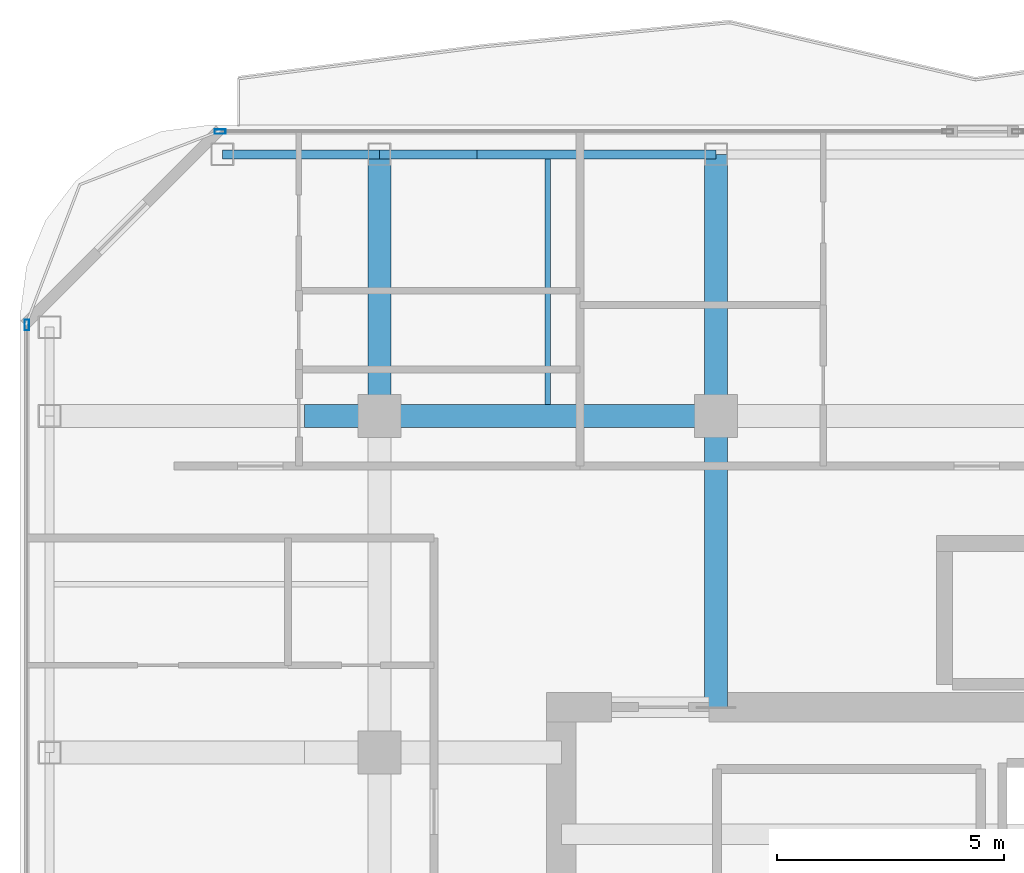
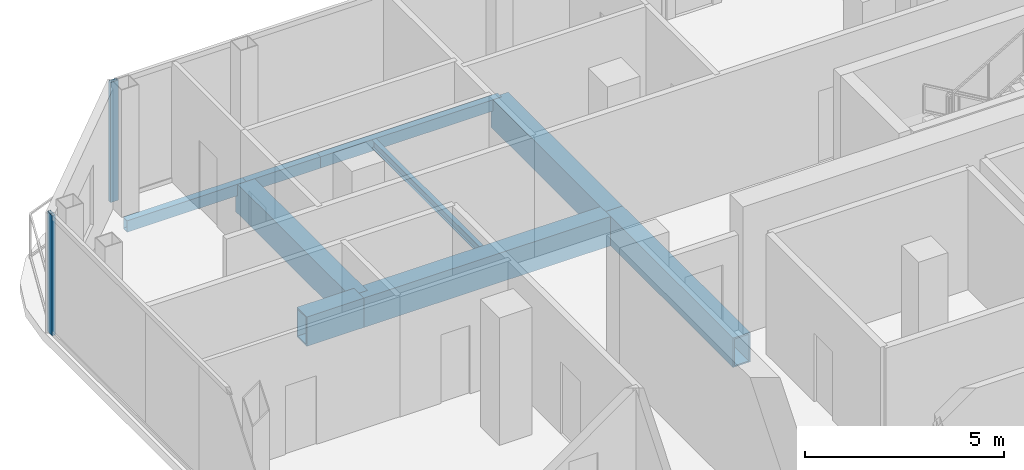
# One storey, part 11 of 24: 9 beams, 2 members, 2 elements without a shape of their own.
"""IFC4 building model written with IfcOpenShell, lengths in metres."""

from ifc_helpers import new_model, si_unit, direction, frame, origin, origin_2d, place, context, subcontext, project, spatial, hollow_rectangle, i_section, extrude, material, layer, layer_set, material_profile, profile_set, type_object, element, aggregate, save


model = new_model("IFC4")

# Units and contexts
model_context = context("Model", 3, precision=1e-05, world=origin(), true_north=direction((0.0, 1.0)))
body_context = subcontext(model_context, "Body", "Model", "MODEL_VIEW")
ifc_project = project(units=[si_unit("LENGTHUNIT", "METRE"), si_unit("AREAUNIT", "SQUARE_METRE"), si_unit("VOLUMEUNIT", "CUBIC_METRE"), si_unit("PLANEANGLEUNIT", "RADIAN"), si_unit("MASSUNIT", "GRAM", prefix="KILO")], contexts=[model_context])

# Site, building, storey
site_placement = place(None, origin())
site = spatial("IfcSite", under=ifc_project, at=site_placement, CompositionType="ELEMENT")
building_placement = place(site_placement, origin())
building = spatial("IfcBuilding", under=site, at=building_placement, Name="Khorvyn Point Tower", CompositionType="ELEMENT")
storey_placement = place(building_placement, frame((0.0, 0.0, 285.89990234375)))
storey = spatial("IfcBuildingStorey", under=building, at=storey_placement, Name="L70", CompositionType="ELEMENT", Elevation=285.89990234375)

# Curtain wall, member
ifc_material_1 = material(Name="Anodised aluminium 6063-T6 and laminated Low-E glass", Category="aluminium")
ifc_layer = layer(ifc_material_1, 0.18994140625)
ifc_layer_set = layer_set([ifc_layer], Name="Stick-Built High-Wind Curtain Wall CW-SYS-04")
curtain_wall_type = type_object("IfcCurtainWallType", Name="Stick-Built High-Wind Curtain Wall CW-SYS-04", PredefinedType="NOTDEFINED", material=ifc_layer_set)
curtain_wall_1_placement = place(storey_placement, origin())
curtain_wall_1 = element("IfcCurtainWall", 1, at=curtain_wall_1_placement, inside=storey, type_object=curtain_wall_type, Name="Curtain Wall", PredefinedType="NOTDEFINED")
ifc_material_2 = material(Name="Anodised aluminium 6063-T6", Category="aluminium")
ifc_material_profile_1 = material_profile(ifc_material_2, hollow_rectangle(XDim=0.10009765625, YDim=0.239990234375, WallThickness=0.0048828125, at=origin_2d()))
ifc_profile_set_1 = profile_set([ifc_material_profile_1], Name="Anodised aluminium 6063-T6 ALU-MUL-100x240")
member_type = type_object("IfcMemberType", Name="Anodised Aluminium 6063-T6 Mullion ALU-MUL-100x240", PredefinedType="MULLION", material=ifc_profile_set_1)
member_1_placement = place(storey_placement, frame((-18.300048828125, 21.050048828125, 0.0), z_axis=(0.0, 0.0, 1.0), x_axis=(0.0, 1.0, 0.0)))
member_1 = element("IfcMember", 2, at=member_1_placement, type_object=member_type, Name="Transom", PredefinedType="MULLION", context=body_context, shape_type="SweptSolid", body=[
    extrude(hollow_rectangle(XDim=0.10009765625, YDim=0.239990234375, WallThickness=0.0048828125, at=origin_2d()), origin(), (0.0, 0.0, 1.0), 3.68017578125),
])
aggregate(curtain_wall_1, [member_1])

curtain_wall_2_placement = place(storey_placement, origin())
curtain_wall_2 = element("IfcCurtainWall", 3, at=curtain_wall_2_placement, inside=storey, type_object=curtain_wall_type, Name="Curtain Wall", PredefinedType="NOTDEFINED")
member_2_placement = place(storey_placement, frame((-22.550048828125, 16.800048828125, 0.0), z_axis=(0.0, 0.0, 1.0), x_axis=(-1.0, 0.0, 0.0)))
member_2 = element("IfcMember", 4, at=member_2_placement, type_object=member_type, Name="Transom", PredefinedType="MULLION", context=body_context, shape_type="SweptSolid", body=[
    extrude(hollow_rectangle(XDim=0.10009765625, YDim=0.239990234375, WallThickness=0.0048828125, at=origin_2d()), origin(), (0.0, 0.0, 1.0), 3.68017578125),
])
aggregate(curtain_wall_2, [member_2])

# Beams
ifc_material_3 = material(Name="Steel S355", Category="steel")
ifc_material_profile_2 = material_profile(ifc_material_3, i_section(OverallWidth=0.125, OverallDepth=0.25, WebThickness=0.006103515625, FlangeThickness=0.009033203125, at=origin_2d()))
ifc_profile_set_2 = profile_set([ifc_material_profile_2], Name="Steel S355 H250x125x6x9")
beam_type_1 = type_object("IfcBeamType", Name="Steel S355 Joist H250x125x6x9", PredefinedType="JOIST", material=ifc_profile_set_2)
beam_1_placement = place(storey_placement, frame((-11.10009765625, 15.050048828125, -0.40478515625), z_axis=(0.0, 1.0, 0.0), x_axis=(-1.0, 0.0, 0.0)))
element("IfcBeam", 5, at=beam_1_placement, inside=storey, type_object=beam_type_1, Name="Beam", PredefinedType="JOIST", context=body_context, shape_type="SweptSolid", body=[
    extrude(i_section(OverallWidth=0.125, OverallDepth=0.25, WebThickness=0.006103515625, FlangeThickness=0.009033203125, at=origin_2d()), origin(), (0.0, 0.0, 1.0), 5.39990234375),
])
ifc_material_profile_3 = material_profile(ifc_material_3, hollow_rectangle(XDim=0.199951171875, YDim=0.35009765625, WallThickness=0.013916015625, at=origin_2d()))
ifc_profile_set_3 = profile_set([ifc_material_profile_3], Name="Steel S355 RHS350x200x14")
beam_type_2 = type_object("IfcBeamType", Name="Steel S355 Spandrel RHS350x200x14", PredefinedType="SPANDREL", material=ifc_profile_set_3)
beam_2_placement = place(storey_placement, frame((-18.25, 20.550048828125, -0.454833984375), z_axis=(1.0, 0.0, 0.0), x_axis=(0.0, 1.0, 0.0)))
element("IfcBeam", 6, at=beam_2_placement, inside=storey, type_object=beam_type_2, Name="Beam", PredefinedType="SPANDREL", context=body_context, shape_type="SweptSolid", body=[
    extrude(hollow_rectangle(XDim=0.199951171875, YDim=0.35009765625, WallThickness=0.013916015625, at=origin_2d()), origin(), (0.0, 0.0, 1.0), 3.449951171875),
])
beam_3_placement = place(storey_placement, frame((-14.800048828125, 20.550048828125, -0.454833984375), z_axis=(1.0, 0.0, 0.0), x_axis=(0.0, 1.0, 0.0)))
element("IfcBeam", 7, at=beam_3_placement, inside=storey, type_object=beam_type_2, Name="Beam", PredefinedType="SPANDREL", context=body_context, shape_type="SweptSolid", body=[
    extrude(hollow_rectangle(XDim=0.199951171875, YDim=0.35009765625, WallThickness=0.013916015625, at=origin_2d()), origin(), (0.0, 0.0, 1.0), 2.150146484375),
])
beam_4_placement = place(storey_placement, frame((-12.64990234375, 20.550048828125, -0.454833984375), z_axis=(1.0, 0.0, 0.0), x_axis=(0.0, 1.0, 0.0)))
element("IfcBeam", 8, at=beam_4_placement, inside=storey, type_object=beam_type_2, Name="Beam", PredefinedType="SPANDREL", context=body_context, shape_type="SweptSolid", body=[
    extrude(hollow_rectangle(XDim=0.199951171875, YDim=0.35009765625, WallThickness=0.013916015625, at=origin_2d()), origin(), (0.0, 0.0, 1.0), 5.25),
])
ifc_material_4 = material(Name="Steel S450", Category="steel")
ifc_material_profile_4 = material_profile(ifc_material_4, hollow_rectangle(XDim=0.5, YDim=0.89990234375, WallThickness=0.0400390625, at=origin_2d()))
ifc_profile_set_4 = profile_set([ifc_material_profile_4], Name="Steel S450 BOX900x500x40")
beam_type_3 = type_object("IfcBeamType", Name="Steel S450 Beam BOX900x500x40", PredefinedType="BEAM", material=ifc_profile_set_4)
beam_5_placement = place(storey_placement, frame((-16.449951171875, 14.800048828125, -0.72998046875), z_axis=(1.0, 0.0, 0.0), x_axis=(0.0, 1.0, 0.0)))
element("IfcBeam", 9, at=beam_5_placement, inside=storey, type_object=beam_type_3, Name="L70 Radial Transfer Girder", PredefinedType="BEAM", context=body_context, shape_type="SweptSolid", body=[
    extrude(hollow_rectangle(XDim=0.5, YDim=0.89990234375, WallThickness=0.0400390625, at=origin_2d()), origin(), (0.0, 0.0, 1.0), 1.64990234375),
])
beam_6_placement = place(storey_placement, frame((-14.800048828125, 14.800048828125, -0.72998046875), z_axis=(1.0, 0.0, 0.0), x_axis=(0.0, 1.0, 0.0)))
element("IfcBeam", 10, at=beam_6_placement, inside=storey, type_object=beam_type_3, Name="L70 Radial Transfer Girder", PredefinedType="BEAM", context=body_context, shape_type="SweptSolid", body=[
    extrude(hollow_rectangle(XDim=0.5, YDim=0.89990234375, WallThickness=0.0400390625, at=origin_2d()), origin(), (0.0, 0.0, 1.0), 7.400146484375),
])
beam_7_placement = place(storey_placement, frame((-14.800048828125, 14.800048828125, -0.72998046875), z_axis=(0.0, 1.0, 0.0), x_axis=(-1.0, 0.0, 0.0)))
element("IfcBeam", 11, at=beam_7_placement, inside=storey, type_object=beam_type_3, Name="L70 Radial Transfer Girder", PredefinedType="BEAM", context=body_context, shape_type="SweptSolid", body=[
    extrude(hollow_rectangle(XDim=0.5, YDim=0.89990234375, WallThickness=0.0400390625, at=origin_2d()), origin(), (0.0, 0.0, 1.0), 5.75),
])
beam_8_placement = place(storey_placement, frame((-7.39990234375, 8.39990234375, -0.72998046875), z_axis=(0.0, 1.0, 0.0), x_axis=(-1.0, 0.0, 0.0)))
element("IfcBeam", 12, at=beam_8_placement, inside=storey, type_object=beam_type_3, Name="Beam", PredefinedType="BEAM", context=body_context, shape_type="SweptSolid", body=[
    extrude(hollow_rectangle(XDim=0.5, YDim=0.89990234375, WallThickness=0.0400390625, at=origin_2d()), origin(), (0.0, 0.0, 1.0), 6.400146484375),
])
beam_9_placement = place(storey_placement, frame((-7.39990234375, 14.800048828125, -0.72998046875), z_axis=(0.0, 1.0, 0.0), x_axis=(-1.0, 0.0, 0.0)))
element("IfcBeam", 13, at=beam_9_placement, inside=storey, type_object=beam_type_3, Name="Beam", PredefinedType="BEAM", context=body_context, shape_type="SweptSolid", body=[
    extrude(hollow_rectangle(XDim=0.5, YDim=0.89990234375, WallThickness=0.0400390625, at=origin_2d()), origin(), (0.0, 0.0, 1.0), 5.75),
])

save(model, "model.ifc")
